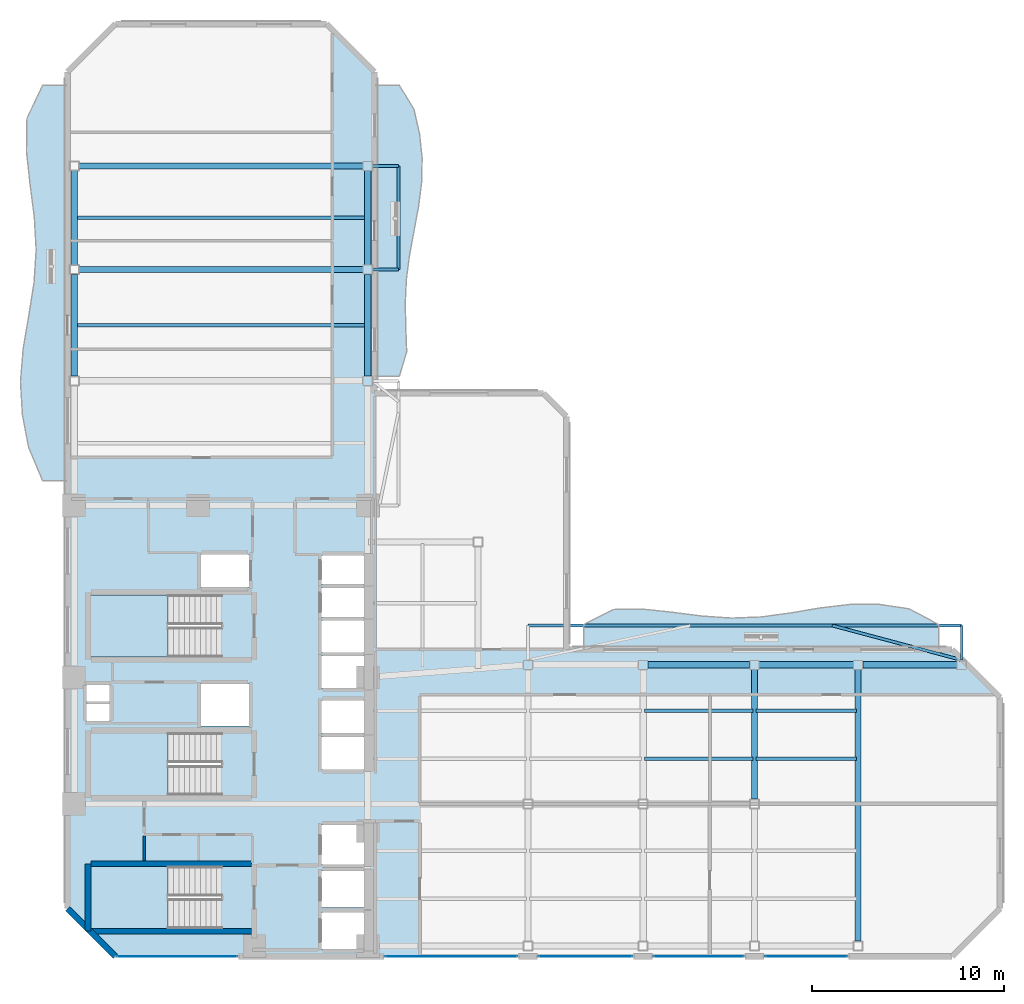
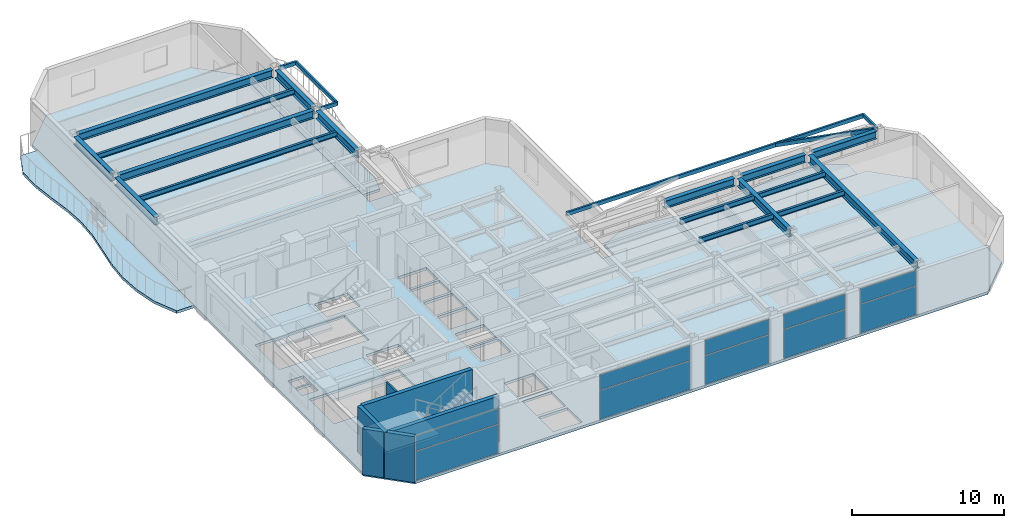
# One storey, part 8 of 15: 23 beams, 10 plates, 7 slabs, 5 walls, 8 elements without a shape of their own.
"""IFC4 building model written with IfcOpenShell, lengths in metres."""

from ifc_helpers import new_model, si_unit, direction, frame, frame_2d, origin, origin_2d, place, context, subcontext, project, spatial, polyline, rectangle, hollow_rectangle, i_section, outline, extrude, material, layer, layer_set, material_profile, profile_set, type_object, element, aggregate, save


model = new_model("IFC4")

# Units and contexts
model_context = context("Model", 3, precision=1e-05, world=origin(), true_north=direction((0.0, 1.0)))
body_context = subcontext(model_context, "Body", "Model", "MODEL_VIEW")
ifc_project = project(units=[si_unit("LENGTHUNIT", "METRE"), si_unit("AREAUNIT", "SQUARE_METRE"), si_unit("VOLUMEUNIT", "CUBIC_METRE"), si_unit("PLANEANGLEUNIT", "RADIAN"), si_unit("MASSUNIT", "GRAM", prefix="KILO")], contexts=[model_context])

# Site, building, storey
site_placement = place(None, origin())
site = spatial("IfcSite", under=ifc_project, at=site_placement, CompositionType="ELEMENT")
building_placement = place(site_placement, origin())
building = spatial("IfcBuilding", under=site, at=building_placement, Name="Mawjaban Terraces University", CompositionType="ELEMENT")
storey_placement = place(building_placement, frame((0.0, 0.0, 119.0)))
storey = spatial("IfcBuildingStorey", under=building, at=storey_placement, Name="L28", CompositionType="ELEMENT", Elevation=119.0)

# Beams
ifc_material_1 = material(Name="Steel EN 10210-1 S355J2H", Category="steel")
ifc_material_profile_1 = material_profile(ifc_material_1, hollow_rectangle(XDim=0.14990234375, YDim=0.300048828125, WallThickness=0.012451171875, at=origin_2d()), Name="RHS300X150X12.5")
ifc_profile_set_1 = profile_set([ifc_material_profile_1], Name="Steel EN 10210-1 S355J2H")
beam_type_1 = type_object("IfcBeamType", Name="BalconyCantileverSpandrel_RHS", PredefinedType="SPANDREL", material=ifc_profile_set_1)
beam_1_placement = place(storey_placement, frame((68.60009765625, 15.449951171875, 3.5400390625), z_axis=(0.0, 1.0, 0.0), x_axis=(-1.0, 0.0, 0.0)))
element("IfcBeam", 1, at=beam_1_placement, inside=storey, type_object=beam_type_1, Name="L28 Exterior Outrigger BAL-L29-N.2", PredefinedType="SPANDREL", context=body_context, shape_type="SweptSolid", body=[
    extrude(hollow_rectangle(XDim=0.14990234375, YDim=0.300048828125, WallThickness=0.012451171875, at=origin_2d()), origin(), (0.0, 0.0, 1.0), 1.800048828125),
])
beam_2_placement = place(storey_placement, frame((46.0, 17.25, 3.5400390625), z_axis=(1.0, 0.0, 0.0), x_axis=(0.0, 1.0, 0.0)))
element("IfcBeam", 2, at=beam_2_placement, inside=storey, type_object=beam_type_1, Name="L28 Exterior Edge Spandrel BAL-L29-N", PredefinedType="SPANDREL", context=body_context, shape_type="SweptSolid", body=[
    extrude(hollow_rectangle(XDim=0.14990234375, YDim=0.300048828125, WallThickness=0.012451171875, at=origin_2d()), origin(), (0.0, 0.0, 1.0), 22.60009765625),
])
beam_3_placement = place(storey_placement, frame((68.60009765625, 15.449951171875, 3.5400390625), z_axis=(-0.966223916386, 0.257703984066, 0.0), x_axis=(-0.257703984066, -0.966223916386, 0.0)))
element("IfcBeam", 3, at=beam_3_placement, inside=storey, type_object=beam_type_1, Name="L28 Exterior Diagonal Strut BAL-L29-N.2", PredefinedType="SPANDREL", context=body_context, shape_type="SweptSolid", body=[
    extrude(hollow_rectangle(XDim=0.14990234375, YDim=0.300048828125, WallThickness=0.012451171875, at=origin_2d()), origin(), (0.0, 0.0, 1.0), 6.98486328125),
])
for number, where, z_axis, x_axis, name in (
    (4, (37.89990234375, 35.800048828125, 3.5400390625), (1.0, 0.0, 0.0), (0.0, 1.0, 0.0), "L28 Exterior Outrigger BAL-L29-E.1"),
    (5, (37.89990234375, 41.199951171875, 3.5400390625), (1.0, 0.0, 0.0), (0.0, 1.0, 0.0), "L28 Exterior Outrigger BAL-L29-E.2"),
):
    element("IfcBeam", number, at=place(storey_placement, frame(where, z_axis=z_axis, x_axis=x_axis)), inside=storey, type_object=beam_type_1, Name=name, PredefinedType="SPANDREL", context=body_context, shape_type="SweptSolid", body=[
        extrude(hollow_rectangle(XDim=0.14990234375, YDim=0.300048828125, WallThickness=0.012451171875, at=origin_2d()), origin(), (0.0, 0.0, 1.0), 1.35009765625),
    ])
beam_4_placement = place(storey_placement, frame((39.25, 35.800048828125, 3.5400390625), z_axis=(0.0, 1.0, 0.0), x_axis=(-1.0, 0.0, 0.0)))
element("IfcBeam", 6, at=beam_4_placement, inside=storey, type_object=beam_type_1, Name="L28 Exterior Edge Spandrel BAL-L29-E", PredefinedType="SPANDREL", context=body_context, shape_type="SweptSolid", body=[
    extrude(hollow_rectangle(XDim=0.14990234375, YDim=0.300048828125, WallThickness=0.012451171875, at=origin_2d()), origin(), (0.0, 0.0, 1.0), 5.39990234375),
])
ifc_material_2 = material(Name="Steel ASTM A572 Grade 50", Category="steel")
ifc_material_profile_2 = material_profile(ifc_material_2, i_section(OverallWidth=0.324951171875, OverallDepth=0.615966796875, WebThickness=0.013916015625, FlangeThickness=0.021484375, at=origin_2d()), Name="W610X174")
ifc_profile_set_2 = profile_set([ifc_material_profile_2], Name="Steel ASTM A572 Grade 50")
beam_type_2 = type_object("IfcBeamType", Name="Beam_B_W610X174", PredefinedType="BEAM", material=ifc_profile_set_2)
beam_5_placement = place(storey_placement, frame((52.25, 15.199951171875, 3.382080078125), z_axis=(1.0, 0.0, 0.0), x_axis=(0.0, 1.0, 0.0)))
element("IfcBeam", 7, at=beam_5_placement, inside=storey, type_object=beam_type_2, Name="L28 Beam BM-L28-EW-09", PredefinedType="BEAM", context=body_context, shape_type="SweptSolid", body=[
    extrude(i_section(OverallWidth=0.324951171875, OverallDepth=0.615966796875, WebThickness=0.013916015625, FlangeThickness=0.021484375, at=origin_2d()), origin(), (0.0, 0.0, 1.0), 5.300048828125),
])
beam_6_placement = place(storey_placement, frame((58.050048828125, 15.199951171875, 3.382080078125), z_axis=(1.0, 0.0, 0.0), x_axis=(0.0, 1.0, 0.0)))
element("IfcBeam", 8, at=beam_6_placement, inside=storey, type_object=beam_type_2, Name="L28 Beam BM-L28-EW-10", PredefinedType="BEAM", context=body_context, shape_type="SweptSolid", body=[
    extrude(i_section(OverallWidth=0.324951171875, OverallDepth=0.615966796875, WebThickness=0.013916015625, FlangeThickness=0.021484375, at=origin_2d()), origin(), (0.0, 0.0, 1.0), 4.89990234375),
])
beam_7_placement = place(storey_placement, frame((63.449951171875, 15.199951171875, 3.382080078125), z_axis=(1.0, 0.0, 0.0), x_axis=(0.0, 1.0, 0.0)))
element("IfcBeam", 9, at=beam_7_placement, inside=storey, type_object=beam_type_2, Name="L28 Beam BM-L28-EW-11", PredefinedType="BEAM", context=body_context, shape_type="SweptSolid", body=[
    extrude(i_section(OverallWidth=0.324951171875, OverallDepth=0.615966796875, WebThickness=0.013916015625, FlangeThickness=0.021484375, at=origin_2d()), origin(), (0.0, 0.0, 1.0), 4.900146484375),
])
for number, where, z_axis, x_axis, name in (
    (10, (22.60009765625, 35.800048828125, 3.382080078125), (1.0, 0.0, 0.0), (0.0, 1.0, 0.0), "L28 Beam BM-L28-EW-15"),
    (11, (22.60009765625, 41.199951171875, 3.382080078125), (1.0, 0.0, 0.0), (0.0, 1.0, 0.0), "L28 Beam BM-L28-EW-16"),
):
    element("IfcBeam", number, at=place(storey_placement, frame(where, z_axis=z_axis, x_axis=x_axis)), inside=storey, type_object=beam_type_2, Name=name, PredefinedType="BEAM", context=body_context, shape_type="SweptSolid", body=[
        extrude(i_section(OverallWidth=0.324951171875, OverallDepth=0.615966796875, WebThickness=0.013916015625, FlangeThickness=0.021484375, at=origin_2d()), origin(), (0.0, 0.0, 1.0), 14.7998046875),
    ])
beam_8_placement = place(storey_placement, frame((22.35009765625, 30.25, 3.382080078125), z_axis=(0.0, 1.0, 0.0), x_axis=(-1.0, 0.0, 0.0)))
element("IfcBeam", 12, at=beam_8_placement, inside=storey, type_object=beam_type_2, Name="L28 Beam BM-L28-NS-04", PredefinedType="BEAM", context=body_context, shape_type="SweptSolid", body=[
    extrude(i_section(OverallWidth=0.324951171875, OverallDepth=0.615966796875, WebThickness=0.013916015625, FlangeThickness=0.021484375, at=origin_2d()), origin(), (0.0, 0.0, 1.0), 5.300048828125),
])
beam_9_placement = place(storey_placement, frame((22.35009765625, 36.050048828125, 3.382080078125), z_axis=(0.0, 1.0, 0.0), x_axis=(-1.0, 0.0, 0.0)))
element("IfcBeam", 13, at=beam_9_placement, inside=storey, type_object=beam_type_2, Name="L28 Beam BM-L28-NS-05", PredefinedType="BEAM", context=body_context, shape_type="SweptSolid", body=[
    extrude(i_section(OverallWidth=0.324951171875, OverallDepth=0.615966796875, WebThickness=0.013916015625, FlangeThickness=0.021484375, at=origin_2d()), origin(), (0.0, 0.0, 1.0), 4.89990234375),
])
beam_10_placement = place(storey_placement, frame((37.64990234375, 30.25, 3.382080078125), z_axis=(0.0, 1.0, 0.0), x_axis=(-1.0, 0.0, 0.0)))
element("IfcBeam", 14, at=beam_10_placement, inside=storey, type_object=beam_type_2, Name="L28 Beam BM-L28-NS-10", PredefinedType="BEAM", context=body_context, shape_type="SweptSolid", body=[
    extrude(i_section(OverallWidth=0.324951171875, OverallDepth=0.615966796875, WebThickness=0.013916015625, FlangeThickness=0.021484375, at=origin_2d()), origin(), (0.0, 0.0, 1.0), 5.300048828125),
])
beam_11_placement = place(storey_placement, frame((37.64990234375, 36.050048828125, 3.382080078125), z_axis=(0.0, 1.0, 0.0), x_axis=(-1.0, 0.0, 0.0)))
element("IfcBeam", 15, at=beam_11_placement, inside=storey, type_object=beam_type_2, Name="L28 Beam BM-L28-NS-11", PredefinedType="BEAM", context=body_context, shape_type="SweptSolid", body=[
    extrude(i_section(OverallWidth=0.324951171875, OverallDepth=0.615966796875, WebThickness=0.013916015625, FlangeThickness=0.021484375, at=origin_2d()), origin(), (0.0, 0.0, 1.0), 4.89990234375),
])
beam_12_placement = place(storey_placement, frame((57.800048828125, 8.199951171875, 3.382080078125), z_axis=(0.0, 1.0, 0.0), x_axis=(-1.0, 0.0, 0.0)))
element("IfcBeam", 16, at=beam_12_placement, inside=storey, type_object=beam_type_2, Name="L28 Beam BM-L28-NS-17", PredefinedType="BEAM", context=body_context, shape_type="SweptSolid", body=[
    extrude(i_section(OverallWidth=0.324951171875, OverallDepth=0.615966796875, WebThickness=0.013916015625, FlangeThickness=0.021484375, at=origin_2d()), origin(), (0.0, 0.0, 1.0), 6.75),
])
beam_13_placement = place(storey_placement, frame((63.199951171875, 0.800048828125, 3.382080078125), z_axis=(0.0, 1.0, 0.0), x_axis=(-1.0, 0.0, 0.0)))
element("IfcBeam", 17, at=beam_13_placement, inside=storey, type_object=beam_type_2, Name="L28 Beam BM-L28-NS-18", PredefinedType="BEAM", context=body_context, shape_type="SweptSolid", body=[
    extrude(i_section(OverallWidth=0.324951171875, OverallDepth=0.615966796875, WebThickness=0.013916015625, FlangeThickness=0.021484375, at=origin_2d()), origin(), (0.0, 0.0, 1.0), 14.14990234375),
])
ifc_material_profile_3 = material_profile(ifc_material_2, i_section(OverallWidth=0.179931640625, OverallDepth=0.4130859375, WebThickness=0.009765625, FlangeThickness=0.01611328125, at=origin_2d()), Name="W410X74")
ifc_profile_set_3 = profile_set([ifc_material_profile_3], Name="Steel ASTM A572 Grade 50")
beam_type_3 = type_object("IfcBeamType", Name="Beam_J_W410X74", PredefinedType="JOIST", material=ifc_profile_set_3)
beam_14_placement = place(storey_placement, frame((52.080078125, 10.300048828125, 3.48291015625), z_axis=(1.0, 0.0, 0.0), x_axis=(0.0, 1.0, 0.0)))
element("IfcBeam", 18, at=beam_14_placement, inside=storey, type_object=beam_type_3, Name="L28 Composite Joist JST-L28-11", PredefinedType="JOIST", context=body_context, shape_type="SweptSolid", body=[
    extrude(i_section(OverallWidth=0.179931640625, OverallDepth=0.4130859375, WebThickness=0.009765625, FlangeThickness=0.01611328125, at=origin_2d()), origin(), (0.0, 0.0, 1.0), 5.639892578125),
])
beam_15_placement = place(storey_placement, frame((57.8798828125, 10.300048828125, 3.48291015625), z_axis=(1.0, 0.0, 0.0), x_axis=(0.0, 1.0, 0.0)))
element("IfcBeam", 19, at=beam_15_placement, inside=storey, type_object=beam_type_3, Name="L28 Composite Joist JST-L28-12", PredefinedType="JOIST", context=body_context, shape_type="SweptSolid", body=[
    extrude(i_section(OverallWidth=0.179931640625, OverallDepth=0.4130859375, WebThickness=0.009765625, FlangeThickness=0.01611328125, at=origin_2d()), origin(), (0.0, 0.0, 1.0), 5.240234375),
])
beam_16_placement = place(storey_placement, frame((52.080078125, 12.800048828125, 3.48291015625), z_axis=(1.0, 0.0, 0.0), x_axis=(0.0, 1.0, 0.0)))
element("IfcBeam", 20, at=beam_16_placement, inside=storey, type_object=beam_type_3, Name="L28 Composite Joist JST-L28-15", PredefinedType="JOIST", context=body_context, shape_type="SweptSolid", body=[
    extrude(i_section(OverallWidth=0.179931640625, OverallDepth=0.4130859375, WebThickness=0.009765625, FlangeThickness=0.01611328125, at=origin_2d()), origin(), (0.0, 0.0, 1.0), 5.639892578125),
])
beam_17_placement = place(storey_placement, frame((57.8798828125, 12.800048828125, 3.48291015625), z_axis=(1.0, 0.0, 0.0), x_axis=(0.0, 1.0, 0.0)))
element("IfcBeam", 21, at=beam_17_placement, inside=storey, type_object=beam_type_3, Name="L28 Composite Joist JST-L28-16", PredefinedType="JOIST", context=body_context, shape_type="SweptSolid", body=[
    extrude(i_section(OverallWidth=0.179931640625, OverallDepth=0.4130859375, WebThickness=0.009765625, FlangeThickness=0.01611328125, at=origin_2d()), origin(), (0.0, 0.0, 1.0), 5.240234375),
])
for number, where, z_axis, x_axis, name in (
    (22, (22.429931640625, 32.89990234375, 3.48291015625), (1.0, 0.0, 0.0), (0.0, 1.0, 0.0), "L28 Composite Joist JST-L28-19"),
    (23, (22.429931640625, 38.5, 3.48291015625), (1.0, 0.0, 0.0), (0.0, 1.0, 0.0), "L28 Composite Joist JST-L28-20"),
):
    element("IfcBeam", number, at=place(storey_placement, frame(where, z_axis=z_axis, x_axis=x_axis)), inside=storey, type_object=beam_type_3, Name=name, PredefinedType="JOIST", context=body_context, shape_type="SweptSolid", body=[
        extrude(i_section(OverallWidth=0.179931640625, OverallDepth=0.4130859375, WebThickness=0.009765625, FlangeThickness=0.01611328125, at=origin_2d()), origin(), (0.0, 0.0, 1.0), 15.14013671875),
    ])

# Slabs
ifc_material_3 = material(Name="Concrete C40/50", Category="concrete")
ifc_layer_1 = layer(ifc_material_3, 0.2099609375)
ifc_layer_set_1 = layer_set([ifc_layer_1], Name="Concrete C40/50")
slab_type_1 = type_object("IfcSlabType", Name="BalconySlab_210_Ext", PredefinedType="FLOOR", material=ifc_layer_set_1)
slab_1_placement = place(storey_placement, frame((0.0, 0.0, -0.2099609375)))
element("IfcSlab", 24, at=slab_1_placement, inside=storey, type_object=slab_type_1, Name="L28 Planted Balcony Slab west", PredefinedType="FLOOR", context=body_context, shape_type="SweptSolid", body=[
    extrude(outline(polyline([(22.010009765625, 24.800048828125), (22.010009765625, 45.39990234375), (20.699951171875, 45.39990234375), (19.888916015625, 43.68310546875), (19.862060546875, 41.967041015625), (20.049072265625, 40.25), (20.27197265625, 38.532958984375), (20.366943359375, 36.81689453125), (20.25390625, 35.10009765625), (19.97998046875, 33.383056640625), (19.68994140625, 31.6669921875), (19.549072265625, 29.949951171875), (19.65087890625, 28.23291015625), (19.97705078125, 26.51708984375), (20.699951171875, 24.800048828125), (22.010009765625, 24.800048828125)])), origin(), (0.0, 0.0, 1.0), 0.2099609375),
])
slab_2_placement = place(storey_placement, frame((0.0, 0.0, -0.2099609375)))
element("IfcSlab", 25, at=slab_2_placement, inside=storey, type_object=slab_type_1, Name="L28 Planted Balcony Slab inner_north", PredefinedType="FLOOR", context=body_context, shape_type="SweptSolid", body=[
    extrude(outline(polyline([(48.904052734375, 15.989990234375), (67.39990234375, 15.989990234375), (67.39990234375, 17.300048828125), (65.85888671875, 18.118896484375), (64.31689453125, 18.34912109375), (62.77587890625, 18.347900390625), (61.235107421875, 18.1650390625), (59.693115234375, 17.905029296875), (58.152099609375, 17.697021484375), (56.611083984375, 17.636962890625), (55.069091796875, 17.740966796875), (53.528076171875, 17.93896484375), (51.987060546875, 18.10205078125), (50.445068359375, 18.0849609375), (48.904052734375, 17.300048828125), (48.904052734375, 15.989990234375)])), origin(), (0.0, 0.0, 1.0), 0.2099609375),
])
slab_3_placement = place(storey_placement, frame((0.0, 0.0, -0.2099609375)))
element("IfcSlab", 26, at=slab_3_placement, inside=storey, type_object=slab_type_1, Name="L28 Planted Balcony Slab inner_east", PredefinedType="FLOOR", context=body_context, shape_type="SweptSolid", body=[
    extrude(outline(polyline([(39.300048828125, 30.25), (39.676025390625, 31.511962890625), (39.6298828125, 32.77490234375), (39.60107421875, 34.0380859375), (39.660888671875, 35.300048828125), (39.825927734375, 36.56201171875), (40.06005859375, 37.824951171875), (40.294921875, 39.0869140625), (40.4560546875, 40.35009765625), (40.48193359375, 41.612060546875), (40.346923828125, 42.875), (40.05810546875, 44.136962890625), (39.300048828125, 45.39990234375), (37.989990234375, 45.39990234375), (37.989990234375, 30.25), (39.300048828125, 30.25)])), origin(), (0.0, 0.0, 1.0), 0.2099609375),
])
ifc_layer_2 = layer(ifc_material_3, 0.2099609375)
ifc_layer_set_2 = layer_set([ifc_layer_2], Name="Concrete C40/50")
slab_type_2 = type_object("IfcSlabType", Name="CompositeSlab_210", PredefinedType="FLOOR", material=ifc_layer_set_2)
slab_4_placement = place(storey_placement, frame((0.0, 0.0, -0.2099609375)))
element("IfcSlab", 27, at=slab_4_placement, inside=storey, type_object=slab_type_2, Name="L28 Primary Structural Slab", PredefinedType="FLOOR", context=body_context, shape_type="SweptSolid", body=[
    extrude(outline(polyline([(24.5, 0.0), (68.10009765625, 0.0), (70.60009765625, 2.5), (70.60009765625, 13.5), (68.10009765625, 16.0), (48.00390625, 16.0), (48.00390625, 28.14990234375), (46.803955078125, 29.35009765625), (38.0, 29.35009765625), (38.0, 46.10009765625), (35.5, 48.60009765625), (24.5, 48.60009765625), (22.0, 46.10009765625), (22.0, 2.5), (24.5, 0.0)]), holes=[polyline([(30.014892578125, 4.699951171875), (23.199951171875, 4.699951171875), (23.199951171875, 1.449951171875), (30.014892578125, 1.449951171875), (30.014892578125, 4.699951171875)]), polyline([(30.014892578125, 18.85009765625), (23.199951171875, 18.85009765625), (23.199951171875, 15.60009765625), (30.014892578125, 15.60009765625), (30.014892578125, 18.85009765625)]), polyline([(30.014892578125, 11.64990234375), (23.199951171875, 11.64990234375), (23.199951171875, 8.39990234375), (30.014892578125, 8.39990234375), (30.014892578125, 11.64990234375)]), polyline([(35.25, 0.39990234375), (37.449951171875, 0.39990234375), (37.449951171875, 2.300048828125), (35.25, 2.300048828125), (35.25, 0.39990234375)]), polyline([(35.25, 2.550048828125), (37.449951171875, 2.550048828125), (37.449951171875, 4.449951171875), (35.25, 4.449951171875), (35.25, 2.550048828125)]), polyline([(35.25, 4.800048828125), (37.449951171875, 4.800048828125), (37.449951171875, 6.85009765625), (35.25, 6.85009765625), (35.25, 4.800048828125)]), polyline([(35.25, 9.75), (37.449951171875, 9.75), (37.449951171875, 11.449951171875), (35.25, 11.449951171875), (35.25, 9.75)]), polyline([(35.25, 11.64990234375), (37.449951171875, 11.64990234375), (37.449951171875, 13.35009765625), (35.25, 13.35009765625), (35.25, 11.64990234375)]), polyline([(28.949951171875, 12.0), (31.449951171875, 12.0), (31.449951171875, 14.199951171875), (28.949951171875, 14.199951171875), (28.949951171875, 12.0)]), polyline([(35.25, 14.0), (37.449951171875, 14.0), (37.449951171875, 15.64990234375), (35.25, 15.64990234375), (35.25, 14.0)]), polyline([(35.25, 15.85009765625), (37.449951171875, 15.85009765625), (37.449951171875, 17.5), (35.25, 17.5), (35.25, 15.85009765625)]), polyline([(35.25, 17.699951171875), (37.449951171875, 17.699951171875), (37.449951171875, 19.199951171875), (35.25, 19.199951171875), (35.25, 17.699951171875)]), polyline([(35.25, 19.39990234375), (37.449951171875, 19.39990234375), (37.449951171875, 20.89990234375), (35.25, 20.89990234375), (35.25, 19.39990234375)]), polyline([(28.949951171875, 19.25), (31.449951171875, 19.25), (31.449951171875, 20.949951171875), (28.949951171875, 20.949951171875), (28.949951171875, 19.25)]), polyline([(23.0, 12.25), (24.199951171875, 12.25), (24.199951171875, 13.14990234375), (23.0, 13.14990234375), (23.0, 12.25)]), polyline([(23.0, 13.300048828125), (24.199951171875, 13.300048828125), (24.199951171875, 14.179931640625), (23.0, 14.179931640625), (23.0, 13.300048828125)])]), origin(), (0.0, 0.0, 1.0), 0.2099609375),
])

# Stair, slab
stair_type = type_object("IfcStairType", Name="Stair_Core1550_H39", PredefinedType="HALF_TURN_STAIR", material=ifc_material_3)
stair_1_placement = place(storey_placement, origin())
stair_1 = element("IfcStair", 28, at=stair_1_placement, inside=storey, type_object=stair_type, Name="L28 Core Exit Stair 1", PredefinedType="HALF_TURN_STAIR")
ifc_layer_3 = layer(ifc_material_3, 0.199951171875)
ifc_layer_set_3 = layer_set([ifc_layer_3], Name="Concrete C40/50")
slab_type_3 = type_object("IfcSlabType", Name="StairLandingSlab_200", PredefinedType="LANDING", material=ifc_layer_set_3)
slab_5_placement = place(storey_placement, frame((0.0, 0.0, 1.75)))
slab_5 = element("IfcSlab", 29, at=slab_5_placement, type_object=slab_type_3, Name="ST-1 landing 1", PredefinedType="LANDING", context=body_context, shape_type="SweptSolid", body=[
    extrude(outline(polyline([(27.25, 4.699951171875), (23.199951171875, 4.699951171875), (23.199951171875, 1.449951171875), (27.25, 1.449951171875), (27.25, 4.699951171875)])), origin(), (0.0, 0.0, 1.0), 0.199951171875),
])
aggregate(stair_1, [slab_5])

stair_2_placement = place(storey_placement, origin())
stair_2 = element("IfcStair", 30, at=stair_2_placement, inside=storey, type_object=stair_type, Name="L28 Core Exit Stair 2", PredefinedType="HALF_TURN_STAIR")
slab_6_placement = place(storey_placement, frame((0.0, 0.0, 1.75)))
slab_6 = element("IfcSlab", 31, at=slab_6_placement, type_object=slab_type_3, Name="ST-2 landing 1", PredefinedType="LANDING", context=body_context, shape_type="SweptSolid", body=[
    extrude(outline(polyline([(27.25, 18.85009765625), (23.199951171875, 18.85009765625), (23.199951171875, 15.60009765625), (27.25, 15.60009765625), (27.25, 18.85009765625)])), origin(), (0.0, 0.0, 1.0), 0.199951171875),
])
aggregate(stair_2, [slab_6])

stair_3_placement = place(storey_placement, origin())
stair_3 = element("IfcStair", 32, at=stair_3_placement, inside=storey, type_object=stair_type, Name="L28 Core Exit Stair 3", PredefinedType="HALF_TURN_STAIR")
slab_7_placement = place(storey_placement, frame((0.0, 0.0, 1.75)))
slab_7 = element("IfcSlab", 33, at=slab_7_placement, type_object=slab_type_3, Name="ST-3 landing 1", PredefinedType="LANDING", context=body_context, shape_type="SweptSolid", body=[
    extrude(outline(polyline([(27.25, 11.64990234375), (23.199951171875, 11.64990234375), (23.199951171875, 8.39990234375), (27.25, 8.39990234375), (27.25, 11.64990234375)])), origin(), (0.0, 0.0, 1.0), 0.199951171875),
])
aggregate(stair_3, [slab_7])

# Curtain wall, plates
ifc_material_4 = material(Name="Anodised aluminium 6063-T6 and solar-control low-E glass", Category="aluminium")
ifc_layer_4 = layer(ifc_material_4, 0.1650390625)
ifc_layer_set_4 = layer_set([ifc_layer_4], Name="Anodised aluminium 6063-T6 and solar-control low-E glass")
curtain_wall_type = type_object("IfcCurtainWallType", Name="CWSystem_04_EastWing", PredefinedType="NOTDEFINED", material=ifc_layer_set_4)
curtain_wall_1_placement = place(storey_placement, origin())
curtain_wall_1 = element("IfcCurtainWall", 34, at=curtain_wall_1_placement, inside=storey, type_object=curtain_wall_type, Name="L28 Curtain Wall CW-04 Run 1.1", PredefinedType="NOTDEFINED")
ifc_material_5 = material(Name="Low-E solar-control double glazing", Category="glass")
ifc_layer_5 = layer(ifc_material_5, 0.028076171875)
ifc_layer_set_5 = layer_set([ifc_layer_5], Name="Low-E solar-control double glazing")
plate_type = type_object("IfcPlateType", Name="VisionPanel_CW-04", PredefinedType="CURTAIN_PANEL", material=ifc_layer_set_5)
plate_1_placement = place(storey_placement, frame((27.699951171875, 0.0, 0.06005859375), z_axis=(0.0, 0.0, 1.0), x_axis=(1.0, 0.0, 0.0)))
plate_1 = element("IfcPlate", 35, at=plate_1_placement, type_object=plate_type, Name="CW-04 panel 1.1", PredefinedType="CURTAIN_PANEL", context=body_context, shape_type="SweptSolid", body=[
    extrude(rectangle(XDim=6.27001953125, YDim=0.028076171875, at=origin_2d()), origin(), (0.0, 0.0, 1.0), 2.30810546875),
])
plate_2_placement = place(storey_placement, frame((27.699951171875, 0.0, 2.42822265625), z_axis=(0.0, 0.0, 1.0), x_axis=(1.0, 0.0, 0.0)))
plate_2 = element("IfcPlate", 36, at=plate_2_placement, type_object=plate_type, Name="CW-04 panel 1.2", PredefinedType="CURTAIN_PANEL", context=body_context, shape_type="SweptSolid", body=[
    extrude(rectangle(XDim=6.27001953125, YDim=0.028076171875, at=origin_2d()), origin(), (0.0, 0.0, 1.0), 1.201904296875),
])
aggregate(curtain_wall_1, [plate_1, plate_2])

curtain_wall_2_placement = place(storey_placement, origin())
curtain_wall_2 = element("IfcCurtainWall", 37, at=curtain_wall_2_placement, inside=storey, type_object=curtain_wall_type, Name="L28 Curtain Wall CW-04 Run 1.2", PredefinedType="NOTDEFINED")
plate_3_placement = place(storey_placement, frame((42.0, 0.0, 0.06005859375), z_axis=(0.0, 0.0, 1.0), x_axis=(1.0, 0.0, 0.0)))
plate_3 = element("IfcPlate", 38, at=plate_3_placement, type_object=plate_type, Name="CW-04 panel 1.1", PredefinedType="CURTAIN_PANEL", context=body_context, shape_type="SweptSolid", body=[
    extrude(rectangle(XDim=6.8701171875, YDim=0.028076171875, at=origin_2d()), origin(), (0.0, 0.0, 1.0), 2.30810546875),
])
plate_4_placement = place(storey_placement, frame((42.0, 0.0, 2.42822265625), z_axis=(0.0, 0.0, 1.0), x_axis=(1.0, 0.0, 0.0)))
plate_4 = element("IfcPlate", 39, at=plate_4_placement, type_object=plate_type, Name="CW-04 panel 1.2", PredefinedType="CURTAIN_PANEL", context=body_context, shape_type="SweptSolid", body=[
    extrude(rectangle(XDim=6.8701171875, YDim=0.028076171875, at=origin_2d()), origin(), (0.0, 0.0, 1.0), 1.201904296875),
])
aggregate(curtain_wall_2, [plate_3, plate_4])

curtain_wall_3_placement = place(storey_placement, origin())
curtain_wall_3 = element("IfcCurtainWall", 40, at=curtain_wall_3_placement, inside=storey, type_object=curtain_wall_type, Name="L28 Curtain Wall CW-04 Run 1.3", PredefinedType="NOTDEFINED")
plate_5_placement = place(storey_placement, frame((49.0, 0.0, 0.06005859375), z_axis=(0.0, 0.0, 1.0), x_axis=(1.0, 0.0, 0.0)))
plate_5 = element("IfcPlate", 41, at=plate_5_placement, type_object=plate_type, Name="CW-04 panel 1.1", PredefinedType="CURTAIN_PANEL", context=body_context, shape_type="SweptSolid", body=[
    extrude(rectangle(XDim=4.8701171875, YDim=0.028076171875, at=origin_2d()), origin(), (0.0, 0.0, 1.0), 2.30810546875),
])
plate_6_placement = place(storey_placement, frame((49.0, 0.0, 2.42822265625), z_axis=(0.0, 0.0, 1.0), x_axis=(1.0, 0.0, 0.0)))
plate_6 = element("IfcPlate", 42, at=plate_6_placement, type_object=plate_type, Name="CW-04 panel 1.2", PredefinedType="CURTAIN_PANEL", context=body_context, shape_type="SweptSolid", body=[
    extrude(rectangle(XDim=4.8701171875, YDim=0.028076171875, at=origin_2d()), origin(), (0.0, 0.0, 1.0), 1.201904296875),
])
aggregate(curtain_wall_3, [plate_5, plate_6])

curtain_wall_4_placement = place(storey_placement, origin())
curtain_wall_4 = element("IfcCurtainWall", 43, at=curtain_wall_4_placement, inside=storey, type_object=curtain_wall_type, Name="L28 Curtain Wall CW-04 Run 1.4", PredefinedType="NOTDEFINED")
plate_7_placement = place(storey_placement, frame((54.89990234375, 0.0, 0.06005859375), z_axis=(0.0, 0.0, 1.0), x_axis=(1.0, 0.0, 0.0)))
plate_7 = element("IfcPlate", 44, at=plate_7_placement, type_object=plate_type, Name="CW-04 panel 1.1", PredefinedType="CURTAIN_PANEL", context=body_context, shape_type="SweptSolid", body=[
    extrude(rectangle(XDim=4.669921875, YDim=0.028076171875, at=origin_2d()), origin(), (0.0, 0.0, 1.0), 2.30810546875),
])
plate_8_placement = place(storey_placement, frame((54.89990234375, 0.0, 2.42822265625), z_axis=(0.0, 0.0, 1.0), x_axis=(1.0, 0.0, 0.0)))
plate_8 = element("IfcPlate", 45, at=plate_8_placement, type_object=plate_type, Name="CW-04 panel 1.2", PredefinedType="CURTAIN_PANEL", context=body_context, shape_type="SweptSolid", body=[
    extrude(rectangle(XDim=4.669921875, YDim=0.028076171875, at=origin_2d()), origin(), (0.0, 0.0, 1.0), 1.201904296875),
])
aggregate(curtain_wall_4, [plate_7, plate_8])

curtain_wall_5_placement = place(storey_placement, origin())
curtain_wall_5 = element("IfcCurtainWall", 46, at=curtain_wall_5_placement, inside=storey, type_object=curtain_wall_type, Name="L28 Curtain Wall CW-04 Run 1.5", PredefinedType="NOTDEFINED")
plate_9_placement = place(storey_placement, frame((60.5, 0.0, 0.06005859375), z_axis=(0.0, 0.0, 1.0), x_axis=(1.0, 0.0, 0.0)))
plate_9 = element("IfcPlate", 47, at=plate_9_placement, type_object=plate_type, Name="CW-04 panel 1.1", PredefinedType="CURTAIN_PANEL", context=body_context, shape_type="SweptSolid", body=[
    extrude(rectangle(XDim=4.27001953125, YDim=0.028076171875, at=origin_2d()), origin(), (0.0, 0.0, 1.0), 2.30810546875),
])
plate_10_placement = place(storey_placement, frame((60.5, 0.0, 2.42822265625), z_axis=(0.0, 0.0, 1.0), x_axis=(1.0, 0.0, 0.0)))
plate_10 = element("IfcPlate", 48, at=plate_10_placement, type_object=plate_type, Name="CW-04 panel 1.2", PredefinedType="CURTAIN_PANEL", context=body_context, shape_type="SweptSolid", body=[
    extrude(rectangle(XDim=4.27001953125, YDim=0.028076171875, at=origin_2d()), origin(), (0.0, 0.0, 1.0), 1.201904296875),
])
aggregate(curtain_wall_5, [plate_9, plate_10])

# Walls
ifc_material_6 = material(Name="Insulated terracotta rainscreen on concrete backup C40/50", Category="masonry")
ifc_layer_6 = layer(ifc_material_6, 0.300048828125)
ifc_layer_set_6 = layer_set([ifc_layer_6], Name="Insulated terracotta rainscreen on concrete backup C40/50")
wall_type_1 = type_object("IfcWallType", Name="ExtTerracottaWall_300", PredefinedType="SOLIDWALL", material=ifc_layer_set_6)
wall_1_placement = place(storey_placement, frame((22.0, 2.5, 0.0), z_axis=(0.0, 0.0, 1.0), x_axis=(0.707106781187, -0.707106781187, 0.0)))
element("IfcWall", 49, at=wall_1_placement, inside=storey, type_object=wall_type_1, Name="L28 Exterior Terracotta Wall 14", PredefinedType="SOLIDWALL", context=body_context, shape_type="SweptSolid", body=[
    extrude(rectangle(XDim=3.53564453125, YDim=0.300048828125, at=frame_2d((1.767822265625, 0.0))), origin(), (0.0, 0.0, 1.0), 3.68994140625),
])
ifc_material_7 = material(Name="Concrete C60/75", Category="concrete")
ifc_layer_7 = layer(ifc_material_7, 0.300048828125)
ifc_layer_set_7 = layer_set([ifc_layer_7], Name="Concrete C60/75")
wall_type_2 = type_object("IfcWallType", Name="StairShaftWall_300", PredefinedType="SHEAR", material=ifc_layer_set_7)
wall_2_placement = place(storey_placement, frame((31.580078125, 4.830078125, 0.0), z_axis=(0.0, 0.0, 1.0), x_axis=(-1.0, 0.0, 0.0)))
element("IfcWall", 50, at=wall_2_placement, inside=storey, type_object=wall_type_2, Name="L28 ST-1 Stair Shaft Wall 1", PredefinedType="SHEAR", context=body_context, shape_type="SweptSolid", body=[
    extrude(rectangle(XDim=8.360107421875, YDim=0.300048828125, at=frame_2d((4.18017578125, 0.0))), origin(), (0.0, 0.0, 1.0), 3.68994140625),
])
wall_3_placement = place(storey_placement, frame((23.070068359375, 4.830078125, 0.0), z_axis=(0.0, 0.0, 1.0), x_axis=(0.0, -1.0, 0.0)))
element("IfcWall", 51, at=wall_3_placement, inside=storey, type_object=wall_type_2, Name="L28 ST-1 Stair Shaft Wall 2", PredefinedType="SHEAR", context=body_context, shape_type="SweptSolid", body=[
    extrude(rectangle(XDim=3.510009765625, YDim=0.300048828125, at=frame_2d((1.7548828125, 0.0))), origin(), (0.0, 0.0, 1.0), 3.68994140625),
])
wall_4_placement = place(storey_placement, frame((23.219970703125, 1.320068359375, 0.0), z_axis=(0.0, 0.0, 1.0), x_axis=(1.0, 0.0, 0.0)))
element("IfcWall", 52, at=wall_4_placement, inside=storey, type_object=wall_type_2, Name="L28 ST-1 Stair Shaft Wall 3", PredefinedType="SHEAR", context=body_context, shape_type="SweptSolid", body=[
    extrude(rectangle(XDim=8.360107421875, YDim=0.300048828125, at=frame_2d((4.18017578125, 0.0))), origin(), (0.0, 0.0, 1.0), 3.68994140625),
])
ifc_material_8 = material(Name="Cement-board wet-room partition", Category="masonry")
ifc_layer_8 = layer(ifc_material_8, 0.135009765625)
ifc_layer_set_8 = layer_set([ifc_layer_8], Name="Cement-board wet-room partition")
wall_type_3 = type_object("IfcWallType", Name="WetRoomPartition_135", PredefinedType="PARTITIONING", material=ifc_layer_set_8)
wall_5_placement = place(storey_placement, frame((26.0, 5.010009765625, 0.0), z_axis=(0.0, 0.0, 1.0), x_axis=(0.0, 1.0, 0.0)))
element("IfcWall", 53, at=wall_5_placement, inside=storey, type_object=wall_type_3, Name="L28 Ablution Room Partition 24", PredefinedType="PARTITIONING", context=body_context, shape_type="SweptSolid", body=[
    extrude(rectangle(XDim=1.264892578125, YDim=0.135009765625, at=frame_2d((0.63232421875, 0.0))), origin(), (0.0, 0.0, 1.0), 3.68994140625),
])

save(model, "model.ifc")
